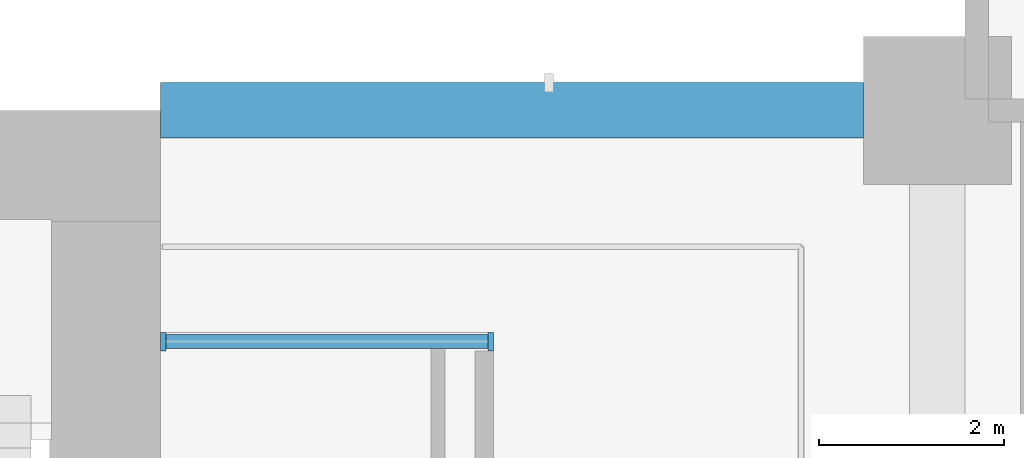
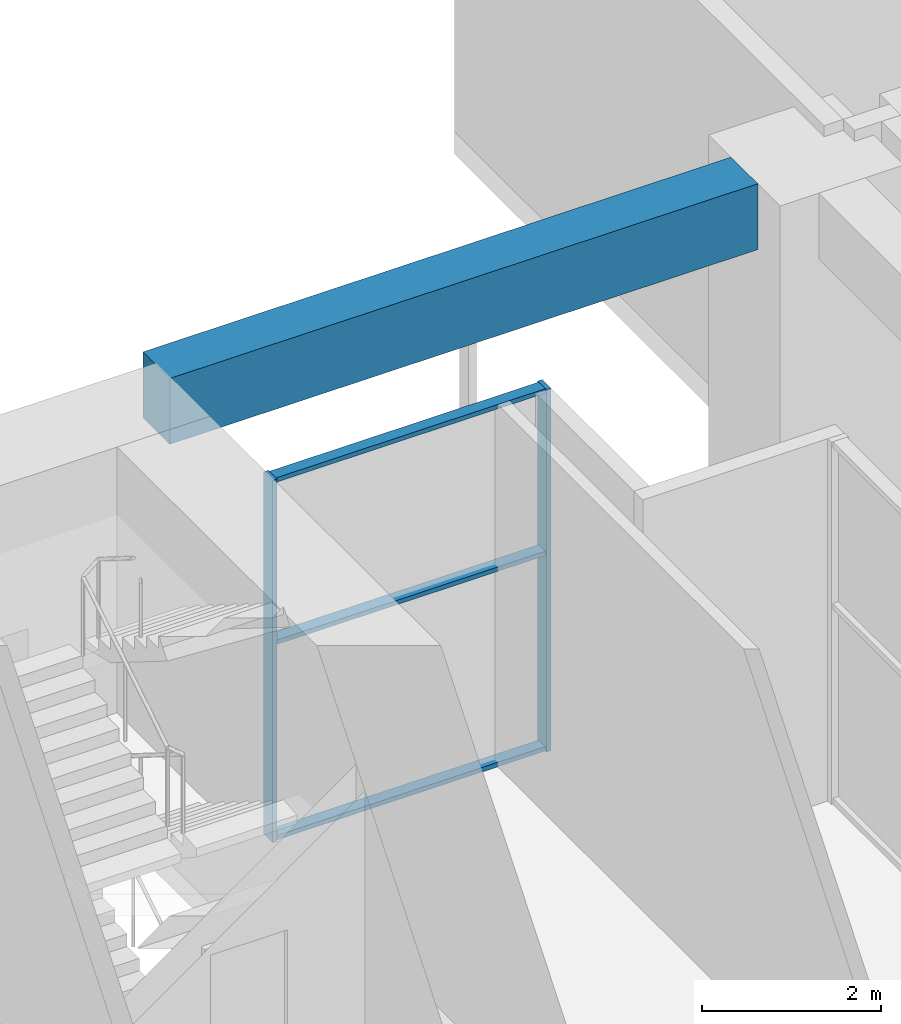
# One storey, part 5 of 26: 5 members, 1 beam, 1 element without a shape of its own.
"""IFC4 building model written with IfcOpenShell, lengths in metres."""

from ifc_helpers import new_model, si_unit, direction, frame, origin, origin_2d, place, context, subcontext, project, spatial, rectangle, extrude, material, material_profile, profile_set, type_object, element, aggregate, save


model = new_model("IFC4")

# Units and contexts
model_context = context("Model", 3, precision=1e-05, world=origin(), true_north=direction((0.0, 1.0)))
body_context = subcontext(model_context, "Body", "Model", "MODEL_VIEW")
ifc_project = project(units=[si_unit("LENGTHUNIT", "METRE"), si_unit("AREAUNIT", "SQUARE_METRE"), si_unit("VOLUMEUNIT", "CUBIC_METRE"), si_unit("PLANEANGLEUNIT", "RADIAN"), si_unit("MASSUNIT", "GRAM", prefix="KILO")], contexts=[model_context])

# Site, building, storey
site_placement = place(None, origin())
site = spatial("IfcSite", under=ifc_project, at=site_placement, CompositionType="ELEMENT")
building_placement = place(site_placement, origin())
building = spatial("IfcBuilding", under=site, at=building_placement, Name="Vermilion Gate Residences", CompositionType="ELEMENT")
storey_placement = place(building_placement, frame((0.0, 0.0, 9.0)))
storey = spatial("IfcBuildingStorey", under=building, at=storey_placement, Name="L01", CompositionType="ELEMENT", Elevation=9.0)

# Curtain wall, members
ifc_material_1 = material(Name="Aluminium and glass", Category="aluminium")
curtain_wall_type = type_object("IfcCurtainWallType", Name="PODIUM SHOPFRONT CURTAIN WALL", PredefinedType="NOTDEFINED", material=ifc_material_1)
curtain_wall_placement = place(storey_placement, origin())
curtain_wall = element("IfcCurtainWall", 1, at=curtain_wall_placement, inside=storey, type_object=curtain_wall_type, Name="Podium Shopfront 150", PredefinedType="NOTDEFINED")
ifc_material_2 = material(Name="Aluminium", Category="aluminium")
ifc_material_profile_1 = material_profile(ifc_material_2, rectangle(XDim=0.199951171875, YDim=0.06005859375, at=origin_2d()), Name="MULLION 60 X 200")
ifc_profile_set_1 = profile_set([ifc_material_profile_1], Name="Aluminium")
member_type_1 = type_object("IfcMemberType", Name="PODIUM SHOPFRONT MULLION 60 X 200", PredefinedType="MULLION", material=ifc_profile_set_1)
member_1_placement = place(storey_placement, frame((62.3701171875, 22.699951171875, 0.0), z_axis=(0.0, 0.0, 1.0), x_axis=(0.0, -1.0, 0.0)))
member_1 = element("IfcMember", 2, at=member_1_placement, type_object=member_type_1, Name="ECW1 mullion 1", PredefinedType="MULLION", context=body_context, shape_type="SweptSolid", body=[
    extrude(rectangle(XDim=0.199951171875, YDim=0.06005859375, at=origin_2d()), origin(), (0.0, 0.0, 1.0), 4.949951171875),
])
member_2_placement = place(storey_placement, frame((58.830078125, 22.699951171875, 0.0), z_axis=(0.0, 0.0, 1.0), x_axis=(0.0, -1.0, 0.0)))
member_2 = element("IfcMember", 3, at=member_2_placement, type_object=member_type_1, Name="ECW1 mullion 2", PredefinedType="MULLION", context=body_context, shape_type="SweptSolid", body=[
    extrude(rectangle(XDim=0.199951171875, YDim=0.06005859375, at=origin_2d()), origin(), (0.0, 0.0, 1.0), 4.949951171875),
])
ifc_material_3 = material(Name="Aluminium", Category="aluminium")
ifc_material_profile_2 = material_profile(ifc_material_3, rectangle(XDim=0.14990234375, YDim=0.06005859375, at=origin_2d()), Name="TRANSOM 60 X 150")
ifc_profile_set_2 = profile_set([ifc_material_profile_2], Name="Aluminium")
member_type_2 = type_object("IfcMemberType", Name="PODIUM SHOPFRONT TRANSOM 60 X 150", PredefinedType="MULLION", material=ifc_profile_set_2)
member_3_placement = place(storey_placement, frame((62.340087890625, 22.699951171875, 0.030029296875), z_axis=(-1.0, 0.0, 0.0), x_axis=(0.0, -1.0, 0.0)))
member_3 = element("IfcMember", 4, at=member_3_placement, type_object=member_type_2, Name="ECW1 transom 1.1", PredefinedType="MULLION", context=body_context, shape_type="SweptSolid", body=[
    extrude(rectangle(XDim=0.14990234375, YDim=0.06005859375, at=origin_2d()), origin(), (0.0, 0.0, 1.0), 3.47998046875),
])
member_4_placement = place(storey_placement, frame((62.340087890625, 22.699951171875, 2.699951171875), z_axis=(-1.0, 0.0, 0.0), x_axis=(0.0, -1.0, 0.0)))
member_4 = element("IfcMember", 5, at=member_4_placement, type_object=member_type_2, Name="ECW1 transom 1.2", PredefinedType="MULLION", context=body_context, shape_type="SweptSolid", body=[
    extrude(rectangle(XDim=0.14990234375, YDim=0.06005859375, at=origin_2d()), origin(), (0.0, 0.0, 1.0), 3.47998046875),
])
member_5_placement = place(storey_placement, frame((62.340087890625, 22.699951171875, 4.919921875), z_axis=(-1.0, 0.0, 0.0), x_axis=(0.0, -1.0, 0.0)))
member_5 = element("IfcMember", 6, at=member_5_placement, type_object=member_type_2, Name="ECW1 transom 1.3", PredefinedType="MULLION", context=body_context, shape_type="SweptSolid", body=[
    extrude(rectangle(XDim=0.14990234375, YDim=0.06005859375, at=origin_2d()), origin(), (0.0, 0.0, 1.0), 3.47998046875),
])
aggregate(curtain_wall, [member_1, member_2, member_3, member_4, member_5])

# Beam
ifc_material_4 = material(Name="Concrete C60 red-oxide pigmented", Category="concrete")
ifc_material_profile_3 = material_profile(ifc_material_4, rectangle(XDim=0.60009765625, YDim=0.89990234375, at=origin_2d()), Name="RC-600x900")
ifc_profile_set_3 = profile_set([ifc_material_profile_3], Name="Concrete C60 red-oxide pigmented")
beam_type = type_object("IfcBeamType", Name="RC EDGE BEAM 600 X 900 C60", PredefinedType="BEAM", material=ifc_profile_set_3)
beam_placement = place(storey_placement, frame((58.800048828125, 25.199951171875, 4.5), z_axis=(1.0, 0.0, 0.0), x_axis=(0.0, 1.0, 0.0)))
element("IfcBeam", 7, at=beam_placement, inside=storey, type_object=beam_type, Name="Edge beam L01 20", PredefinedType="BEAM", context=body_context, shape_type="SweptSolid", body=[
    extrude(rectangle(XDim=0.60009765625, YDim=0.89990234375, at=origin_2d()), origin(), (0.0, 0.0, 1.0), 7.599853515625),
])

save(model, "model.ifc")
